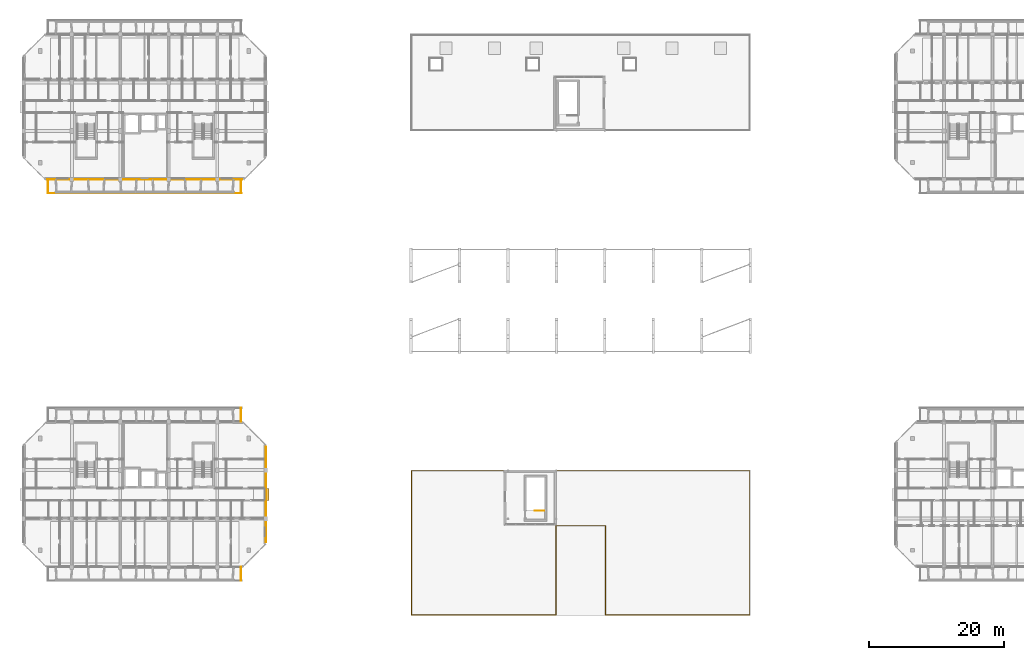
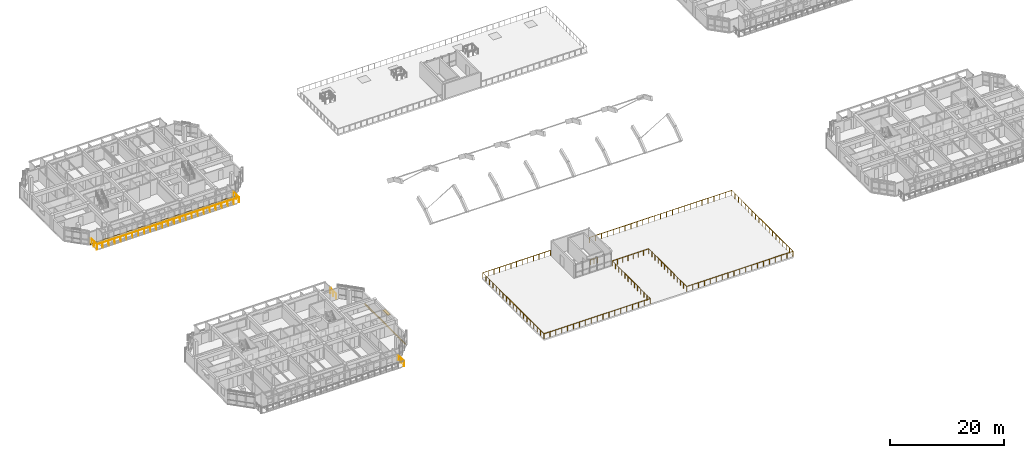
# One storey, part 55 of 64: 7 railings, 2 coverings, 1 shading device.
"""IFC4 building model written with IfcOpenShell, lengths in metres."""

from ifc_helpers import new_model, si_unit, direction, frame, origin, origin_2d, place, context, subcontext, project, spatial, rectangle, circle, extrude, material, layer, layer_set, type_object, element, save


model = new_model("IFC4")

# Units and contexts
model_context = context("Model", 3, precision=1e-05, world=origin(), true_north=direction((0.0, 1.0)))
body_context = subcontext(model_context, "Body", "Model", "MODEL_VIEW")
ifc_project = project(units=[si_unit("LENGTHUNIT", "METRE"), si_unit("AREAUNIT", "SQUARE_METRE"), si_unit("VOLUMEUNIT", "CUBIC_METRE"), si_unit("PLANEANGLEUNIT", "RADIAN"), si_unit("MASSUNIT", "GRAM", prefix="KILO")], contexts=[model_context])

# Site, building, storey
site_placement = place(None, origin())
site = spatial("IfcSite", under=ifc_project, at=site_placement, CompositionType="ELEMENT")
building_placement = place(site_placement, origin())
building = spatial("IfcBuilding", under=site, at=building_placement, Name="Ochrevale Crest", CompositionType="ELEMENT")
storey_placement = place(building_placement, frame((0.0, 0.0, 8.699951171875)))
storey = spatial("IfcBuildingStorey", under=building, at=storey_placement, Name="L02", CompositionType="ELEMENT", Elevation=8.699951171875)

# Coverings
ifc_material_1 = material(Name="Glazed terracotta rainscreen tile", Category="masonry")
ifc_layer = layer(ifc_material_1, 0.048095703125)
ifc_layer_set = layer_set([ifc_layer], Name="Glazed terracotta rainscreen tile")
covering_type = type_object("IfcCoveringType", Name="COV-CLAD-TER", PredefinedType="CLADDING", material=ifc_layer_set)
covering_1_placement = place(storey_placement, frame((36.014404296875, 25.199951171875, -0.259765625), z_axis=(0.0, 0.0, 1.0), x_axis=(0.0, 1.0, 0.0)))
element("IfcCovering", 1, at=covering_1_placement, inside=storey, type_object=covering_type, Name="Block A L02 terracotta slab-edge spandrel cladding", PredefinedType="CLADDING", context=body_context, shape_type="SweptSolid", body=[
    extrude(rectangle(XDim=14.199951171875, YDim=0.06005859375, at=origin_2d()), origin(), (0.0, 0.0, 1.0), 0.280029296875),
])
covering_2_placement = place(storey_placement, frame((18.0, 71.987548828125, -0.259765625), z_axis=(0.0, 0.0, 1.0), x_axis=(1.0, 0.0, 0.0)))
element("IfcCovering", 2, at=covering_2_placement, inside=storey, type_object=covering_type, Name="Block B L02 terracotta slab-edge spandrel cladding", PredefinedType="CLADDING", context=body_context, shape_type="SweptSolid", body=[
    extrude(rectangle(XDim=29.0, YDim=0.06005859375, at=origin_2d()), origin(), (0.0, 0.0, 1.0), 0.280029296875),
])

# Railings
ifc_material_2 = material(Name="Galvanised steel", Category="steel")
railing_type_1 = type_object("IfcRailingType", Name="RL-BAL-1100", PredefinedType="BALUSTRADE", material=ifc_material_2)
railing_1_placement = place(storey_placement, frame((32.340087890625, 14.39990234375, 0.0)))
element("IfcRailing", 3, at=railing_1_placement, inside=storey, type_object=railing_type_1, Name="Block A L02 S-E balcony side guard", PredefinedType="BALUSTRADE", context=body_context, shape_type="SweptSolid", body=[
    extrude(circle(Radius=0.02392578125, at=origin_2d()), frame((0.0, 0.0, 1.0859375), z_axis=(0.0, -1.0, 0.0), x_axis=(1.0, 0.0, 0.0)), (0.0, 0.0, 1.0), 2.039794921875),
    extrude(circle(Radius=0.02099609375, at=origin_2d()), origin(), (0.0, 0.0, 1.0), 1.06201171875),
    extrude(circle(Radius=0.02099609375, at=origin_2d()), frame((0.0, -1.02001953125, 0.0)), (0.0, 0.0, 1.0), 1.06201171875),
    extrude(circle(Radius=0.02099609375, at=origin_2d()), frame((0.0, -2.039794921875, 0.0)), (0.0, 0.0, 1.0), 1.06201171875),
])
railing_2_placement = place(storey_placement, frame((32.340087890625, 36.0, 0.0)))
element("IfcRailing", 4, at=railing_2_placement, inside=storey, type_object=railing_type_1, Name="Block A L02 N-E balcony side guard", PredefinedType="BALUSTRADE", context=body_context, shape_type="SweptSolid", body=[
    extrude(circle(Radius=0.02392578125, at=origin_2d()), frame((0.0, 0.0, 1.0859375), z_axis=(0.0, 1.0, 0.0), x_axis=(-1.0, 0.0, 0.0)), (0.0, 0.0, 1.0), 2.0400390625),
    extrude(circle(Radius=0.02099609375, at=origin_2d()), origin(), (0.0, 0.0, 1.0), 1.06201171875),
    extrude(circle(Radius=0.02099609375, at=origin_2d()), frame((0.0, 1.02001953125, 0.0)), (0.0, 0.0, 1.0), 1.06201171875),
    extrude(circle(Radius=0.02099609375, at=origin_2d()), frame((0.0, 2.0400390625, 0.0)), (0.0, 0.0, 1.0), 1.06201171875),
])
railing_3_placement = place(storey_placement, frame((3.60009765625, 69.9599609375, 0.0)))
element("IfcRailing", 5, at=railing_3_placement, inside=storey, type_object=railing_type_1, Name="Block B L02 S balcony front balustrade", PredefinedType="BALUSTRADE", context=body_context, shape_type="SweptSolid", body=[
    extrude(circle(Radius=0.02392578125, at=origin_2d()), frame((0.0, 0.0, 1.0859375), z_axis=(1.0, 0.0, 0.0), x_axis=(0.0, 1.0, 0.0)), (0.0, 0.0, 1.0), 28.7998046875),
    extrude(circle(Radius=0.02099609375, at=origin_2d()), origin(), (0.0, 0.0, 1.0), 1.06201171875),
    extrude(circle(Radius=0.02099609375, at=origin_2d()), frame((1.199951171875, 0.0, 0.0)), (0.0, 0.0, 1.0), 1.06201171875),
    extrude(circle(Radius=0.02099609375, at=origin_2d()), frame((2.39990234375, 0.0, 0.0)), (0.0, 0.0, 1.0), 1.06201171875),
    extrude(circle(Radius=0.02099609375, at=origin_2d()), frame((3.60009765625, 0.0, 0.0)), (0.0, 0.0, 1.0), 1.06201171875),
    extrude(circle(Radius=0.02099609375, at=origin_2d()), frame((4.800048828125, 0.0, 0.0)), (0.0, 0.0, 1.0), 1.06201171875),
    extrude(circle(Radius=0.02099609375, at=origin_2d()), frame((6.0, 0.0, 0.0)), (0.0, 0.0, 1.0), 1.06201171875),
    extrude(circle(Radius=0.02099609375, at=origin_2d()), frame((7.199951171875, 0.0, 0.0)), (0.0, 0.0, 1.0), 1.06201171875),
    extrude(circle(Radius=0.02099609375, at=origin_2d()), frame((8.39990234375, 0.0, 0.0)), (0.0, 0.0, 1.0), 1.06201171875),
    extrude(circle(Radius=0.02099609375, at=origin_2d()), frame((9.599853515625, 0.0, 0.0)), (0.0, 0.0, 1.0), 1.06201171875),
    extrude(circle(Radius=0.02099609375, at=origin_2d()), frame((10.7998046875, 0.0, 0.0)), (0.0, 0.0, 1.0), 1.06201171875),
    extrude(circle(Radius=0.02099609375, at=origin_2d()), frame((12.0, 0.0, 0.0)), (0.0, 0.0, 1.0), 1.06201171875),
    extrude(circle(Radius=0.02099609375, at=origin_2d()), frame((13.199951171875, 0.0, 0.0)), (0.0, 0.0, 1.0), 1.06201171875),
    extrude(circle(Radius=0.02099609375, at=origin_2d()), frame((14.39990234375, 0.0, 0.0)), (0.0, 0.0, 1.0), 1.06201171875),
    extrude(circle(Radius=0.02099609375, at=origin_2d()), frame((15.599853515625, 0.0, 0.0)), (0.0, 0.0, 1.0), 1.06201171875),
    extrude(circle(Radius=0.02099609375, at=origin_2d()), frame((16.7998046875, 0.0, 0.0)), (0.0, 0.0, 1.0), 1.06201171875),
    extrude(circle(Radius=0.02099609375, at=origin_2d()), frame((18.0, 0.0, 0.0)), (0.0, 0.0, 1.0), 1.06201171875),
    extrude(circle(Radius=0.02099609375, at=origin_2d()), frame((19.199951171875, 0.0, 0.0)), (0.0, 0.0, 1.0), 1.06201171875),
    extrude(circle(Radius=0.02099609375, at=origin_2d()), frame((20.39990234375, 0.0, 0.0)), (0.0, 0.0, 1.0), 1.06201171875),
    extrude(circle(Radius=0.02099609375, at=origin_2d()), frame((21.599853515625, 0.0, 0.0)), (0.0, 0.0, 1.0), 1.06201171875),
    extrude(circle(Radius=0.02099609375, at=origin_2d()), frame((22.7998046875, 0.0, 0.0)), (0.0, 0.0, 1.0), 1.06201171875),
    extrude(circle(Radius=0.02099609375, at=origin_2d()), frame((23.999755859375, 0.0, 0.0)), (0.0, 0.0, 1.0), 1.06201171875),
    extrude(circle(Radius=0.02099609375, at=origin_2d()), frame((25.19970703125, 0.0, 0.0)), (0.0, 0.0, 1.0), 1.06201171875),
    extrude(circle(Radius=0.02099609375, at=origin_2d()), frame((26.39990234375, 0.0, 0.0)), (0.0, 0.0, 1.0), 1.06201171875),
    extrude(circle(Radius=0.02099609375, at=origin_2d()), frame((27.599853515625, 0.0, 0.0)), (0.0, 0.0, 1.0), 1.06201171875),
    extrude(circle(Radius=0.02099609375, at=origin_2d()), frame((28.7998046875, 0.0, 0.0)), (0.0, 0.0, 1.0), 1.06201171875),
])
for number, where, name in (
    (6, (3.659912109375, 72.0, 0.0), "Block B L02 S-W balcony side guard"),
    (7, (32.340087890625, 72.0, 0.0), "Block B L02 S-E balcony side guard"),
):
    element("IfcRailing", number, at=place(storey_placement, frame(where)), inside=storey, type_object=railing_type_1, Name=name, PredefinedType="BALUSTRADE", context=body_context, shape_type="SweptSolid", body=[
        extrude(circle(Radius=0.02392578125, at=origin_2d()), frame((0.0, 0.0, 1.0859375), z_axis=(0.0, -1.0, 0.0), x_axis=(1.0, 0.0, 0.0)), (0.0, 0.0, 1.0), 2.0400390625),
        extrude(circle(Radius=0.02099609375, at=origin_2d()), origin(), (0.0, 0.0, 1.0), 1.06201171875),
        extrude(circle(Radius=0.02099609375, at=origin_2d()), frame((0.0, -1.02001953125, 0.0)), (0.0, 0.0, 1.0), 1.06201171875),
        extrude(circle(Radius=0.02099609375, at=origin_2d()), frame((0.0, -2.0400390625, 0.0)), (0.0, 0.0, 1.0), 1.06201171875),
    ])
railing_type_2 = type_object("IfcRailingType", Name="RL-ST-GUARD", PredefinedType="BALUSTRADE", material=ifc_material_2)
railing_4_placement = place(storey_placement, frame((77.39990234375, 22.77490234375, 0.0)))
element("IfcRailing", 8, at=railing_4_placement, inside=storey, type_object=railing_type_2, Name="L02 ST-R1 top well guard 1", PredefinedType="BALUSTRADE", context=body_context, shape_type="SweptSolid", body=[
    extrude(circle(Radius=0.02392578125, at=origin_2d()), frame((0.0, 0.0, 1.076171875), z_axis=(-1.0, 0.0, 0.0), x_axis=(0.0, -1.0, 0.0)), (0.0, 0.0, 1.0), 1.39990234375),
    extrude(circle(Radius=0.02099609375, at=origin_2d()), origin(), (0.0, 0.0, 1.0), 1.052001953125),
    extrude(circle(Radius=0.02099609375, at=origin_2d()), frame((-0.699951171875, 0.0, 0.0)), (0.0, 0.0, 1.0), 1.052001953125),
    extrude(circle(Radius=0.02099609375, at=origin_2d()), frame((-1.39990234375, 0.0, 0.0)), (0.0, 0.0, 1.0), 1.052001953125),
])
railing_type_3 = type_object("IfcRailingType", Name="RL-TER-1120", PredefinedType="BALUSTRADE", material=ifc_material_2)
railing_5_placement = place(storey_placement, frame((71.35009765625, 28.719970703125, 0.0)))
element("IfcRailing", 9, at=railing_5_placement, inside=storey, type_object=railing_type_3, Name="South planted roof garden perimeter balustrade", PredefinedType="BALUSTRADE", context=body_context, shape_type="SweptSolid", body=[
    extrude(circle(Radius=0.02392578125, at=origin_2d()), frame((0.0, 0.0, 1.09619140625), z_axis=(-1.0, 0.0, 0.0), x_axis=(0.0, -1.0, 0.0)), (0.0, 0.0, 1.0), 13.670166015625),
    extrude(circle(Radius=0.02392578125, at=origin_2d()), frame((-13.670166015625, 0.0, 1.09619140625), z_axis=(0.0, -1.0, 0.0), x_axis=(1.0, 0.0, 0.0)), (0.0, 0.0, 1.0), 21.43994140625),
    extrude(circle(Radius=0.02392578125, at=origin_2d()), frame((-13.670166015625, -21.43994140625, 1.09619140625), z_axis=(1.0, 0.0, 0.0), x_axis=(0.0, 1.0, 0.0)), (0.0, 0.0, 1.0), 21.440185546875),
    extrude(circle(Radius=0.02392578125, at=origin_2d()), frame((7.77001953125, -21.43994140625, 1.09619140625), z_axis=(0.0, 1.0, 0.0), x_axis=(-1.0, 0.0, 0.0)), (0.0, 0.0, 1.0), 13.27001953125),
    extrude(circle(Radius=0.02392578125, at=origin_2d()), frame((7.77001953125, -8.169921875, 1.09619140625), z_axis=(1.0, 0.0, 0.0), x_axis=(0.0, 1.0, 0.0)), (0.0, 0.0, 1.0), 7.35986328125),
    extrude(circle(Radius=0.02392578125, at=origin_2d()), frame((15.1298828125, -8.169921875, 1.09619140625), z_axis=(0.0, -1.0, 0.0), x_axis=(1.0, 0.0, 0.0)), (0.0, 0.0, 1.0), 13.27001953125),
    extrude(circle(Radius=0.02392578125, at=origin_2d()), frame((15.1298828125, -21.43994140625, 1.09619140625), z_axis=(1.0, 0.0, 0.0), x_axis=(0.0, 1.0, 0.0)), (0.0, 0.0, 1.0), 21.43994140625),
    extrude(circle(Radius=0.02392578125, at=origin_2d()), frame((36.56982421875, -21.43994140625, 1.09619140625), z_axis=(0.0, 1.0, 0.0), x_axis=(-1.0, 0.0, 0.0)), (0.0, 0.0, 1.0), 21.43994140625),
    extrude(circle(Radius=0.02392578125, at=origin_2d()), frame((36.56982421875, 0.0, 1.09619140625), z_axis=(-1.0, 0.0, 0.0), x_axis=(0.0, -1.0, 0.0)), (0.0, 0.0, 1.0), 28.669921875),
    extrude(circle(Radius=0.02099609375, at=origin_2d()), origin(), (0.0, 0.0, 1.0), 1.072021484375),
    extrude(circle(Radius=0.02099609375, at=origin_2d()), frame((-1.13916015625, 0.0, 0.0)), (0.0, 0.0, 1.0), 1.072021484375),
    extrude(circle(Radius=0.02099609375, at=origin_2d()), frame((-2.2783203125, 0.0, 0.0)), (0.0, 0.0, 1.0), 1.072021484375),
    extrude(circle(Radius=0.02099609375, at=origin_2d()), frame((-3.41748046875, 0.0, 0.0)), (0.0, 0.0, 1.0), 1.072021484375),
    extrude(circle(Radius=0.02099609375, at=origin_2d()), frame((-4.556640625, 0.0, 0.0)), (0.0, 0.0, 1.0), 1.072021484375),
    extrude(circle(Radius=0.02099609375, at=origin_2d()), frame((-5.69580078125, 0.0, 0.0)), (0.0, 0.0, 1.0), 1.072021484375),
    extrude(circle(Radius=0.02099609375, at=origin_2d()), frame((-6.8349609375, 0.0, 0.0)), (0.0, 0.0, 1.0), 1.072021484375),
    extrude(circle(Radius=0.02099609375, at=origin_2d()), frame((-7.974365234375, 0.0, 0.0)), (0.0, 0.0, 1.0), 1.072021484375),
    extrude(circle(Radius=0.02099609375, at=origin_2d()), frame((-9.113525390625, 0.0, 0.0)), (0.0, 0.0, 1.0), 1.072021484375),
    extrude(circle(Radius=0.02099609375, at=origin_2d()), frame((-10.252685546875, 0.0, 0.0)), (0.0, 0.0, 1.0), 1.072021484375),
    extrude(circle(Radius=0.02099609375, at=origin_2d()), frame((-11.391845703125, 0.0, 0.0)), (0.0, 0.0, 1.0), 1.072021484375),
    extrude(circle(Radius=0.02099609375, at=origin_2d()), frame((-12.531005859375, 0.0, 0.0)), (0.0, 0.0, 1.0), 1.072021484375),
    extrude(circle(Radius=0.02099609375, at=origin_2d()), frame((-13.670166015625, 0.0, 0.0)), (0.0, 0.0, 1.0), 1.072021484375),
    extrude(circle(Radius=0.02099609375, at=origin_2d()), frame((-13.670166015625, -1.191162109375, 0.0)), (0.0, 0.0, 1.0), 1.072021484375),
    extrude(circle(Radius=0.02099609375, at=origin_2d()), frame((-13.670166015625, -2.38232421875, 0.0)), (0.0, 0.0, 1.0), 1.072021484375),
    extrude(circle(Radius=0.02099609375, at=origin_2d()), frame((-13.670166015625, -3.5732421875, 0.0)), (0.0, 0.0, 1.0), 1.072021484375),
    extrude(circle(Radius=0.02099609375, at=origin_2d()), frame((-13.670166015625, -4.764404296875, 0.0)), (0.0, 0.0, 1.0), 1.072021484375),
    extrude(circle(Radius=0.02099609375, at=origin_2d()), frame((-13.670166015625, -5.95556640625, 0.0)), (0.0, 0.0, 1.0), 1.072021484375),
    extrude(circle(Radius=0.02099609375, at=origin_2d()), frame((-13.670166015625, -7.146728515625, 0.0)), (0.0, 0.0, 1.0), 1.072021484375),
    extrude(circle(Radius=0.02099609375, at=origin_2d()), frame((-13.670166015625, -8.337646484375, 0.0)), (0.0, 0.0, 1.0), 1.072021484375),
    extrude(circle(Radius=0.02099609375, at=origin_2d()), frame((-13.670166015625, -9.52880859375, 0.0)), (0.0, 0.0, 1.0), 1.072021484375),
    extrude(circle(Radius=0.02099609375, at=origin_2d()), frame((-13.670166015625, -10.719970703125, 0.0)), (0.0, 0.0, 1.0), 1.072021484375),
    extrude(circle(Radius=0.02099609375, at=origin_2d()), frame((-13.670166015625, -11.9111328125, 0.0)), (0.0, 0.0, 1.0), 1.072021484375),
    extrude(circle(Radius=0.02099609375, at=origin_2d()), frame((-13.670166015625, -13.102294921875, 0.0)), (0.0, 0.0, 1.0), 1.072021484375),
    extrude(circle(Radius=0.02099609375, at=origin_2d()), frame((-13.670166015625, -14.293212890625, 0.0)), (0.0, 0.0, 1.0), 1.072021484375),
    extrude(circle(Radius=0.02099609375, at=origin_2d()), frame((-13.670166015625, -15.484375, 0.0)), (0.0, 0.0, 1.0), 1.072021484375),
    extrude(circle(Radius=0.02099609375, at=origin_2d()), frame((-13.670166015625, -16.675537109375, 0.0)), (0.0, 0.0, 1.0), 1.072021484375),
    extrude(circle(Radius=0.02099609375, at=origin_2d()), frame((-13.670166015625, -17.86669921875, 0.0)), (0.0, 0.0, 1.0), 1.072021484375),
    extrude(circle(Radius=0.02099609375, at=origin_2d()), frame((-13.670166015625, -19.0576171875, 0.0)), (0.0, 0.0, 1.0), 1.072021484375),
    extrude(circle(Radius=0.02099609375, at=origin_2d()), frame((-13.670166015625, -20.248779296875, 0.0)), (0.0, 0.0, 1.0), 1.072021484375),
    extrude(circle(Radius=0.02099609375, at=origin_2d()), frame((-13.670166015625, -21.43994140625, 0.0)), (0.0, 0.0, 1.0), 1.072021484375),
    extrude(circle(Radius=0.02099609375, at=origin_2d()), frame((-12.47900390625, -21.43994140625, 0.0)), (0.0, 0.0, 1.0), 1.072021484375),
    extrude(circle(Radius=0.02099609375, at=origin_2d()), frame((-11.287841796875, -21.43994140625, 0.0)), (0.0, 0.0, 1.0), 1.072021484375),
    extrude(circle(Radius=0.02099609375, at=origin_2d()), frame((-10.0966796875, -21.43994140625, 0.0)), (0.0, 0.0, 1.0), 1.072021484375),
    extrude(circle(Radius=0.02099609375, at=origin_2d()), frame((-8.90576171875, -21.43994140625, 0.0)), (0.0, 0.0, 1.0), 1.072021484375),
    extrude(circle(Radius=0.02099609375, at=origin_2d()), frame((-7.714599609375, -21.43994140625, 0.0)), (0.0, 0.0, 1.0), 1.072021484375),
    extrude(circle(Radius=0.02099609375, at=origin_2d()), frame((-6.5234375, -21.43994140625, 0.0)), (0.0, 0.0, 1.0), 1.072021484375),
    extrude(circle(Radius=0.02099609375, at=origin_2d()), frame((-5.332275390625, -21.43994140625, 0.0)), (0.0, 0.0, 1.0), 1.072021484375),
    extrude(circle(Radius=0.02099609375, at=origin_2d()), frame((-4.14111328125, -21.43994140625, 0.0)), (0.0, 0.0, 1.0), 1.072021484375),
    extrude(circle(Radius=0.02099609375, at=origin_2d()), frame((-2.9501953125, -21.43994140625, 0.0)), (0.0, 0.0, 1.0), 1.072021484375),
    extrude(circle(Radius=0.02099609375, at=origin_2d()), frame((-1.759033203125, -21.43994140625, 0.0)), (0.0, 0.0, 1.0), 1.072021484375),
    extrude(circle(Radius=0.02099609375, at=origin_2d()), frame((-0.56787109375, -21.43994140625, 0.0)), (0.0, 0.0, 1.0), 1.072021484375),
    extrude(circle(Radius=0.02099609375, at=origin_2d()), frame((0.623291015625, -21.43994140625, 0.0)), (0.0, 0.0, 1.0), 1.072021484375),
    extrude(circle(Radius=0.02099609375, at=origin_2d()), frame((1.814453125, -21.43994140625, 0.0)), (0.0, 0.0, 1.0), 1.072021484375),
    extrude(circle(Radius=0.02099609375, at=origin_2d()), frame((3.005615234375, -21.43994140625, 0.0)), (0.0, 0.0, 1.0), 1.072021484375),
    extrude(circle(Radius=0.02099609375, at=origin_2d()), frame((4.19677734375, -21.43994140625, 0.0)), (0.0, 0.0, 1.0), 1.072021484375),
    extrude(circle(Radius=0.02099609375, at=origin_2d()), frame((5.3876953125, -21.43994140625, 0.0)), (0.0, 0.0, 1.0), 1.072021484375),
    extrude(circle(Radius=0.02099609375, at=origin_2d()), frame((6.578857421875, -21.43994140625, 0.0)), (0.0, 0.0, 1.0), 1.072021484375),
    extrude(circle(Radius=0.02099609375, at=origin_2d()), frame((7.77001953125, -21.43994140625, 0.0)), (0.0, 0.0, 1.0), 1.072021484375),
    extrude(circle(Radius=0.02099609375, at=origin_2d()), frame((7.77001953125, -20.333984375, 0.0)), (0.0, 0.0, 1.0), 1.072021484375),
    extrude(circle(Radius=0.02099609375, at=origin_2d()), frame((7.77001953125, -19.228271484375, 0.0)), (0.0, 0.0, 1.0), 1.072021484375),
    extrude(circle(Radius=0.02099609375, at=origin_2d()), frame((7.77001953125, -18.12255859375, 0.0)), (0.0, 0.0, 1.0), 1.072021484375),
    extrude(circle(Radius=0.02099609375, at=origin_2d()), frame((7.77001953125, -17.0166015625, 0.0)), (0.0, 0.0, 1.0), 1.072021484375),
    extrude(circle(Radius=0.02099609375, at=origin_2d()), frame((7.77001953125, -15.91064453125, 0.0)), (0.0, 0.0, 1.0), 1.072021484375),
    extrude(circle(Radius=0.02099609375, at=origin_2d()), frame((7.77001953125, -14.804931640625, 0.0)), (0.0, 0.0, 1.0), 1.072021484375),
    extrude(circle(Radius=0.02099609375, at=origin_2d()), frame((7.77001953125, -13.69921875, 0.0)), (0.0, 0.0, 1.0), 1.072021484375),
    extrude(circle(Radius=0.02099609375, at=origin_2d()), frame((7.77001953125, -12.59326171875, 0.0)), (0.0, 0.0, 1.0), 1.072021484375),
    extrude(circle(Radius=0.02099609375, at=origin_2d()), frame((7.77001953125, -11.4873046875, 0.0)), (0.0, 0.0, 1.0), 1.072021484375),
    extrude(circle(Radius=0.02099609375, at=origin_2d()), frame((7.77001953125, -10.381591796875, 0.0)), (0.0, 0.0, 1.0), 1.072021484375),
    extrude(circle(Radius=0.02099609375, at=origin_2d()), frame((7.77001953125, -9.27587890625, 0.0)), (0.0, 0.0, 1.0), 1.072021484375),
    extrude(circle(Radius=0.02099609375, at=origin_2d()), frame((7.77001953125, -8.169921875, 0.0)), (0.0, 0.0, 1.0), 1.072021484375),
    extrude(circle(Radius=0.02099609375, at=origin_2d()), frame((8.821533203125, -8.169921875, 0.0)), (0.0, 0.0, 1.0), 1.072021484375),
    extrude(circle(Radius=0.02099609375, at=origin_2d()), frame((9.872802734375, -8.169921875, 0.0)), (0.0, 0.0, 1.0), 1.072021484375),
    extrude(circle(Radius=0.02099609375, at=origin_2d()), frame((10.92431640625, -8.169921875, 0.0)), (0.0, 0.0, 1.0), 1.072021484375),
    extrude(circle(Radius=0.02099609375, at=origin_2d()), frame((11.9755859375, -8.169921875, 0.0)), (0.0, 0.0, 1.0), 1.072021484375),
    extrude(circle(Radius=0.02099609375, at=origin_2d()), frame((13.027099609375, -8.169921875, 0.0)), (0.0, 0.0, 1.0), 1.072021484375),
    extrude(circle(Radius=0.02099609375, at=origin_2d()), frame((14.078369140625, -8.169921875, 0.0)), (0.0, 0.0, 1.0), 1.072021484375),
    extrude(circle(Radius=0.02099609375, at=origin_2d()), frame((15.1298828125, -8.169921875, 0.0)), (0.0, 0.0, 1.0), 1.072021484375),
    extrude(circle(Radius=0.02099609375, at=origin_2d()), frame((15.1298828125, -9.27587890625, 0.0)), (0.0, 0.0, 1.0), 1.072021484375),
    extrude(circle(Radius=0.02099609375, at=origin_2d()), frame((15.1298828125, -10.381591796875, 0.0)), (0.0, 0.0, 1.0), 1.072021484375),
    extrude(circle(Radius=0.02099609375, at=origin_2d()), frame((15.1298828125, -11.4873046875, 0.0)), (0.0, 0.0, 1.0), 1.072021484375),
    extrude(circle(Radius=0.02099609375, at=origin_2d()), frame((15.1298828125, -12.59326171875, 0.0)), (0.0, 0.0, 1.0), 1.072021484375),
    extrude(circle(Radius=0.02099609375, at=origin_2d()), frame((15.1298828125, -13.69921875, 0.0)), (0.0, 0.0, 1.0), 1.072021484375),
    extrude(circle(Radius=0.02099609375, at=origin_2d()), frame((15.1298828125, -14.804931640625, 0.0)), (0.0, 0.0, 1.0), 1.072021484375),
    extrude(circle(Radius=0.02099609375, at=origin_2d()), frame((15.1298828125, -15.91064453125, 0.0)), (0.0, 0.0, 1.0), 1.072021484375),
    extrude(circle(Radius=0.02099609375, at=origin_2d()), frame((15.1298828125, -17.0166015625, 0.0)), (0.0, 0.0, 1.0), 1.072021484375),
    extrude(circle(Radius=0.02099609375, at=origin_2d()), frame((15.1298828125, -18.12255859375, 0.0)), (0.0, 0.0, 1.0), 1.072021484375),
    extrude(circle(Radius=0.02099609375, at=origin_2d()), frame((15.1298828125, -19.228271484375, 0.0)), (0.0, 0.0, 1.0), 1.072021484375),
    extrude(circle(Radius=0.02099609375, at=origin_2d()), frame((15.1298828125, -20.333984375, 0.0)), (0.0, 0.0, 1.0), 1.072021484375),
    extrude(circle(Radius=0.02099609375, at=origin_2d()), frame((15.1298828125, -21.43994140625, 0.0)), (0.0, 0.0, 1.0), 1.072021484375),
    extrude(circle(Radius=0.02099609375, at=origin_2d()), frame((16.321044921875, -21.43994140625, 0.0)), (0.0, 0.0, 1.0), 1.072021484375),
    extrude(circle(Radius=0.02099609375, at=origin_2d()), frame((17.51220703125, -21.43994140625, 0.0)), (0.0, 0.0, 1.0), 1.072021484375),
    extrude(circle(Radius=0.02099609375, at=origin_2d()), frame((18.703125, -21.43994140625, 0.0)), (0.0, 0.0, 1.0), 1.072021484375),
    extrude(circle(Radius=0.02099609375, at=origin_2d()), frame((19.894287109375, -21.43994140625, 0.0)), (0.0, 0.0, 1.0), 1.072021484375),
    extrude(circle(Radius=0.02099609375, at=origin_2d()), frame((21.08544921875, -21.43994140625, 0.0)), (0.0, 0.0, 1.0), 1.072021484375),
    extrude(circle(Radius=0.02099609375, at=origin_2d()), frame((22.276611328125, -21.43994140625, 0.0)), (0.0, 0.0, 1.0), 1.072021484375),
    extrude(circle(Radius=0.02099609375, at=origin_2d()), frame((23.467529296875, -21.43994140625, 0.0)), (0.0, 0.0, 1.0), 1.072021484375),
    extrude(circle(Radius=0.02099609375, at=origin_2d()), frame((24.65869140625, -21.43994140625, 0.0)), (0.0, 0.0, 1.0), 1.072021484375),
    extrude(circle(Radius=0.02099609375, at=origin_2d()), frame((25.849853515625, -21.43994140625, 0.0)), (0.0, 0.0, 1.0), 1.072021484375),
    extrude(circle(Radius=0.02099609375, at=origin_2d()), frame((27.041015625, -21.43994140625, 0.0)), (0.0, 0.0, 1.0), 1.072021484375),
    extrude(circle(Radius=0.02099609375, at=origin_2d()), frame((28.232177734375, -21.43994140625, 0.0)), (0.0, 0.0, 1.0), 1.072021484375),
    extrude(circle(Radius=0.02099609375, at=origin_2d()), frame((29.423095703125, -21.43994140625, 0.0)), (0.0, 0.0, 1.0), 1.072021484375),
    extrude(circle(Radius=0.02099609375, at=origin_2d()), frame((30.6142578125, -21.43994140625, 0.0)), (0.0, 0.0, 1.0), 1.072021484375),
    extrude(circle(Radius=0.02099609375, at=origin_2d()), frame((31.805419921875, -21.43994140625, 0.0)), (0.0, 0.0, 1.0), 1.072021484375),
    extrude(circle(Radius=0.02099609375, at=origin_2d()), frame((32.99658203125, -21.43994140625, 0.0)), (0.0, 0.0, 1.0), 1.072021484375),
    extrude(circle(Radius=0.02099609375, at=origin_2d()), frame((34.1875, -21.43994140625, 0.0)), (0.0, 0.0, 1.0), 1.072021484375),
    extrude(circle(Radius=0.02099609375, at=origin_2d()), frame((35.378662109375, -21.43994140625, 0.0)), (0.0, 0.0, 1.0), 1.072021484375),
    extrude(circle(Radius=0.02099609375, at=origin_2d()), frame((36.56982421875, -21.43994140625, 0.0)), (0.0, 0.0, 1.0), 1.072021484375),
    extrude(circle(Radius=0.02099609375, at=origin_2d()), frame((36.56982421875, -20.248779296875, 0.0)), (0.0, 0.0, 1.0), 1.072021484375),
    extrude(circle(Radius=0.02099609375, at=origin_2d()), frame((36.56982421875, -19.0576171875, 0.0)), (0.0, 0.0, 1.0), 1.072021484375),
    extrude(circle(Radius=0.02099609375, at=origin_2d()), frame((36.56982421875, -17.86669921875, 0.0)), (0.0, 0.0, 1.0), 1.072021484375),
    extrude(circle(Radius=0.02099609375, at=origin_2d()), frame((36.56982421875, -16.675537109375, 0.0)), (0.0, 0.0, 1.0), 1.072021484375),
    extrude(circle(Radius=0.02099609375, at=origin_2d()), frame((36.56982421875, -15.484375, 0.0)), (0.0, 0.0, 1.0), 1.072021484375),
    extrude(circle(Radius=0.02099609375, at=origin_2d()), frame((36.56982421875, -14.293212890625, 0.0)), (0.0, 0.0, 1.0), 1.072021484375),
    extrude(circle(Radius=0.02099609375, at=origin_2d()), frame((36.56982421875, -13.102294921875, 0.0)), (0.0, 0.0, 1.0), 1.072021484375),
    extrude(circle(Radius=0.02099609375, at=origin_2d()), frame((36.56982421875, -11.9111328125, 0.0)), (0.0, 0.0, 1.0), 1.072021484375),
    extrude(circle(Radius=0.02099609375, at=origin_2d()), frame((36.56982421875, -10.719970703125, 0.0)), (0.0, 0.0, 1.0), 1.072021484375),
    extrude(circle(Radius=0.02099609375, at=origin_2d()), frame((36.56982421875, -9.52880859375, 0.0)), (0.0, 0.0, 1.0), 1.072021484375),
    extrude(circle(Radius=0.02099609375, at=origin_2d()), frame((36.56982421875, -8.337646484375, 0.0)), (0.0, 0.0, 1.0), 1.072021484375),
    extrude(circle(Radius=0.02099609375, at=origin_2d()), frame((36.56982421875, -7.146728515625, 0.0)), (0.0, 0.0, 1.0), 1.072021484375),
    extrude(circle(Radius=0.02099609375, at=origin_2d()), frame((36.56982421875, -5.95556640625, 0.0)), (0.0, 0.0, 1.0), 1.072021484375),
    extrude(circle(Radius=0.02099609375, at=origin_2d()), frame((36.56982421875, -4.764404296875, 0.0)), (0.0, 0.0, 1.0), 1.072021484375),
    extrude(circle(Radius=0.02099609375, at=origin_2d()), frame((36.56982421875, -3.5732421875, 0.0)), (0.0, 0.0, 1.0), 1.072021484375),
    extrude(circle(Radius=0.02099609375, at=origin_2d()), frame((36.56982421875, -2.38232421875, 0.0)), (0.0, 0.0, 1.0), 1.072021484375),
    extrude(circle(Radius=0.02099609375, at=origin_2d()), frame((36.56982421875, -1.191162109375, 0.0)), (0.0, 0.0, 1.0), 1.072021484375),
    extrude(circle(Radius=0.02099609375, at=origin_2d()), frame((36.56982421875, 0.0, 0.0)), (0.0, 0.0, 1.0), 1.072021484375),
    extrude(circle(Radius=0.02099609375, at=origin_2d()), frame((35.375244140625, 0.0, 0.0)), (0.0, 0.0, 1.0), 1.072021484375),
    extrude(circle(Radius=0.02099609375, at=origin_2d()), frame((34.1806640625, 0.0, 0.0)), (0.0, 0.0, 1.0), 1.072021484375),
    extrude(circle(Radius=0.02099609375, at=origin_2d()), frame((32.986083984375, 0.0, 0.0)), (0.0, 0.0, 1.0), 1.072021484375),
    extrude(circle(Radius=0.02099609375, at=origin_2d()), frame((31.79150390625, 0.0, 0.0)), (0.0, 0.0, 1.0), 1.072021484375),
    extrude(circle(Radius=0.02099609375, at=origin_2d()), frame((30.596923828125, 0.0, 0.0)), (0.0, 0.0, 1.0), 1.072021484375),
    extrude(circle(Radius=0.02099609375, at=origin_2d()), frame((29.40234375, 0.0, 0.0)), (0.0, 0.0, 1.0), 1.072021484375),
    extrude(circle(Radius=0.02099609375, at=origin_2d()), frame((28.207763671875, 0.0, 0.0)), (0.0, 0.0, 1.0), 1.072021484375),
    extrude(circle(Radius=0.02099609375, at=origin_2d()), frame((27.01318359375, 0.0, 0.0)), (0.0, 0.0, 1.0), 1.072021484375),
    extrude(circle(Radius=0.02099609375, at=origin_2d()), frame((25.818603515625, 0.0, 0.0)), (0.0, 0.0, 1.0), 1.072021484375),
    extrude(circle(Radius=0.02099609375, at=origin_2d()), frame((24.6240234375, 0.0, 0.0)), (0.0, 0.0, 1.0), 1.072021484375),
    extrude(circle(Radius=0.02099609375, at=origin_2d()), frame((23.429443359375, 0.0, 0.0)), (0.0, 0.0, 1.0), 1.072021484375),
    extrude(circle(Radius=0.02099609375, at=origin_2d()), frame((22.23486328125, 0.0, 0.0)), (0.0, 0.0, 1.0), 1.072021484375),
    extrude(circle(Radius=0.02099609375, at=origin_2d()), frame((21.040283203125, 0.0, 0.0)), (0.0, 0.0, 1.0), 1.072021484375),
    extrude(circle(Radius=0.02099609375, at=origin_2d()), frame((19.845703125, 0.0, 0.0)), (0.0, 0.0, 1.0), 1.072021484375),
    extrude(circle(Radius=0.02099609375, at=origin_2d()), frame((18.651123046875, 0.0, 0.0)), (0.0, 0.0, 1.0), 1.072021484375),
    extrude(circle(Radius=0.02099609375, at=origin_2d()), frame((17.45654296875, 0.0, 0.0)), (0.0, 0.0, 1.0), 1.072021484375),
    extrude(circle(Radius=0.02099609375, at=origin_2d()), frame((16.261962890625, 0.0, 0.0)), (0.0, 0.0, 1.0), 1.072021484375),
    extrude(circle(Radius=0.02099609375, at=origin_2d()), frame((15.0673828125, 0.0, 0.0)), (0.0, 0.0, 1.0), 1.072021484375),
    extrude(circle(Radius=0.02099609375, at=origin_2d()), frame((13.872802734375, 0.0, 0.0)), (0.0, 0.0, 1.0), 1.072021484375),
    extrude(circle(Radius=0.02099609375, at=origin_2d()), frame((12.67822265625, 0.0, 0.0)), (0.0, 0.0, 1.0), 1.072021484375),
    extrude(circle(Radius=0.02099609375, at=origin_2d()), frame((11.483642578125, 0.0, 0.0)), (0.0, 0.0, 1.0), 1.072021484375),
    extrude(circle(Radius=0.02099609375, at=origin_2d()), frame((10.2890625, 0.0, 0.0)), (0.0, 0.0, 1.0), 1.072021484375),
    extrude(circle(Radius=0.02099609375, at=origin_2d()), frame((9.094482421875, 0.0, 0.0)), (0.0, 0.0, 1.0), 1.072021484375),
    extrude(circle(Radius=0.02099609375, at=origin_2d()), frame((7.89990234375, 0.0, 0.0)), (0.0, 0.0, 1.0), 1.072021484375),
])

# Shading device
ifc_material_3 = material(Name="Anodised aluminium 6063-T5", Category="aluminium")
shading_device_type = type_object("IfcShadingDeviceType", Name="SHD-SUNSHADE-OC", PredefinedType="USERDEFINED", material=ifc_material_3)
shading_device_placement = place(storey_placement, frame((36.239990234375, 25.199951171875, 2.2099609375), z_axis=(0.0, 0.0, 1.0), x_axis=(1.0, 0.0, 0.0)))
element("IfcShadingDevice", 10, at=shading_device_placement, inside=storey, type_object=shading_device_type, Name="Block A L02 gable window sunshade E", ObjectType="HORIZONTAL SUNSHADE", PredefinedType="USERDEFINED", context=body_context, shape_type="SweptSolid", body=[
    extrude(rectangle(XDim=0.550048828125, YDim=1.800048828125, at=origin_2d()), origin(), (0.0, 0.0, 1.0), 0.139892578125),
])

save(model, "model.ifc")
